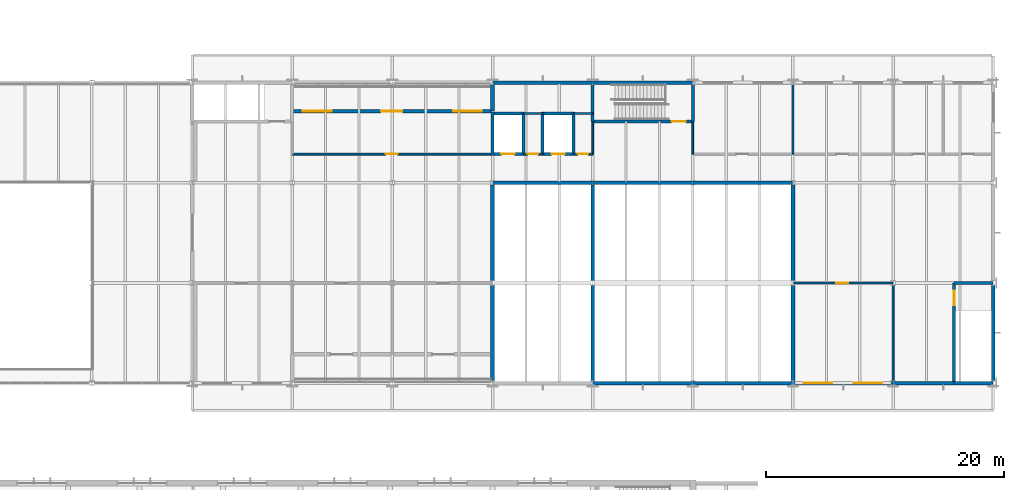
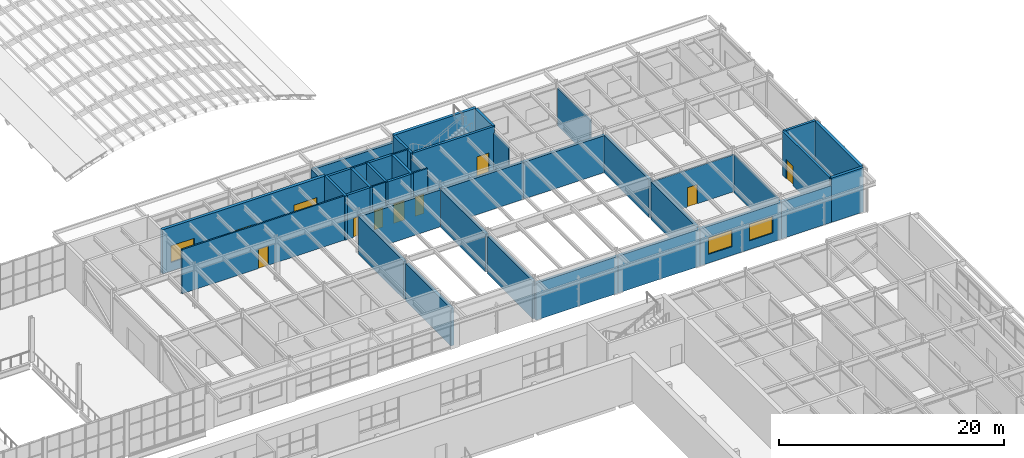
# One storey, part 80 of 116: 42 walls, 9 doors, 4 windows, 13 openings.
"""IFC4 building model written with IfcOpenShell, lengths in metres."""

from ifc_helpers import new_model, si_unit, direction, frame, frame_2d, origin, place, context, subcontext, project, spatial, rectangle, extrude, material, layer, layer_set, type_object, element, fill, save


model = new_model("IFC4")

# Units and contexts
model_context = context("Model", 3, precision=1e-05, world=origin(), true_north=direction((0.0, 1.0)))
body_context = subcontext(model_context, "Body", "Model", "MODEL_VIEW")
ifc_project = project(units=[si_unit("LENGTHUNIT", "METRE"), si_unit("AREAUNIT", "SQUARE_METRE"), si_unit("VOLUMEUNIT", "CUBIC_METRE"), si_unit("PLANEANGLEUNIT", "RADIAN"), si_unit("MASSUNIT", "GRAM", prefix="KILO")], contexts=[model_context])

# Site, building, storey
site_placement = place(None, origin())
site = spatial("IfcSite", under=ifc_project, at=site_placement, CompositionType="ELEMENT")
building_placement = place(site_placement, origin())
building = spatial("IfcBuilding", under=site, at=building_placement, Name="Ljudholm Concert House", CompositionType="ELEMENT")
storey_placement = place(building_placement, frame((0.0, 0.0, 10.199951171875)))
storey = spatial("IfcBuildingStorey", under=building, at=storey_placement, Name="L02", CompositionType="ELEMENT", Elevation=10.199951171875)

# Walls
ifc_material_1 = material(Name="Double gypsum board on staggered studs")
ifc_layer_1 = layer(ifc_material_1, 0.300048828125)
ifc_layer_set_1 = layer_set([ifc_layer_1], Name="Double gypsum board on staggered studs")
wall_type_1 = type_object("IfcWallType", Name="ACOUSTIC PARTITION 300", PredefinedType="PARTITIONING", material=ifc_layer_set_1)
for number, where, z_axis, x_axis, name in (
    (1, (79.60009765625, 113.377685546875, 0.0), (0.0, 0.0, 1.0), (0.0, 1.0, 0.0), "Acoustic partition"),
    (2, (79.60009765625, 104.977783203125, 0.0), (0.0, 0.0, 1.0), (0.0, 1.0, 0.0), "Acoustic partition"),
    (3, (88.0, 104.977783203125, 0.0), (0.0, 0.0, 1.0), (0.0, 1.0, 0.0), "Acoustic partition"),
    (4, (88.0, 113.377685546875, 0.0), (0.0, 0.0, 1.0), (0.0, 1.0, 0.0), "Acoustic partition"),
    (5, (104.800048828125, 113.377685546875, 0.0), (0.0, 0.0, 1.0), (0.0, 1.0, 0.0), "Acoustic partition"),
    (6, (104.800048828125, 104.977783203125, 0.0), (0.0, 0.0, 1.0), (0.0, 1.0, 0.0), "Acoustic partition"),
):
    element("IfcWall", number, at=place(storey_placement, frame(where, z_axis=z_axis, x_axis=x_axis)), inside=storey, type_object=wall_type_1, Name=name, PredefinedType="PARTITIONING", context=body_context, shape_type="SweptSolid", body=[
        extrude(rectangle(XDim=8.04443359375, YDim=0.300048828125, at=frame_2d((4.022216796875, 0.0))), origin(), (0.0, 0.0, 1.0), 4.086669921875),
    ])
wall_1_placement = place(storey_placement, frame((79.60546875, 121.60009765625, 0.0), z_axis=(0.0, 0.0, 1.0), x_axis=(1.0, 0.0, 0.0)))
element("IfcWall", 7, at=wall_1_placement, inside=storey, type_object=wall_type_1, Name="Acoustic partition", PredefinedType="PARTITIONING", context=body_context, shape_type="SweptSolid", body=[
    extrude(rectangle(XDim=8.400146484375, YDim=0.300048828125, at=frame_2d((4.2001953125, 0.0))), origin(), (0.0, 0.0, 1.0), 4.008056640625),
])
wall_2_placement = place(storey_placement, frame((87.994384765625, 121.60009765625, 0.0), z_axis=(0.0, 0.0, 1.0), x_axis=(1.0, 0.0, 0.0)))
element("IfcWall", 8, at=wall_2_placement, inside=storey, type_object=wall_type_1, Name="Acoustic partition", PredefinedType="PARTITIONING", context=body_context, shape_type="SweptSolid", body=[
    extrude(rectangle(XDim=8.4111328125, YDim=0.300048828125, at=frame_2d((4.20556640625, 0.0))), origin(), (0.0, 0.0, 1.0), 4.008056640625),
])
wall_3_placement = place(storey_placement, frame((96.39453125, 121.60009765625, 0.0), z_axis=(0.0, 0.0, 1.0), x_axis=(1.0, 0.0, 0.0)))
element("IfcWall", 9, at=wall_3_placement, inside=storey, type_object=wall_type_1, Name="Acoustic partition", PredefinedType="PARTITIONING", context=body_context, shape_type="SweptSolid", body=[
    extrude(rectangle(XDim=8.39990234375, YDim=0.300048828125, at=frame_2d((4.199951171875, 0.0))), origin(), (0.0, 0.0, 1.0), 4.008056640625),
])
ifc_material_2 = material(Name="Gypsum board on steel studs", Category="steel")
ifc_layer_2 = layer(ifc_material_2, 0.14990234375)
ifc_layer_set_2 = layer_set([ifc_layer_2], Name="Gypsum board on steel studs")
wall_type_2 = type_object("IfcWallType", Name="GYPSUM PARTITION 150", PredefinedType="PARTITIONING", material=ifc_layer_set_2)
for number, where, z_axis, x_axis, name in (
    (10, (88.0, 124.0, 0.0), (0.0, 0.0, 1.0), (0.0, 1.0, 0.0), "Partition"),
    (11, (96.39990234375, 124.0, 0.0), (0.0, 0.0, 1.0), (0.0, 1.0, 0.0), "Partition"),
):
    element("IfcWall", number, at=place(storey_placement, frame(where, z_axis=z_axis, x_axis=x_axis)), inside=storey, type_object=wall_type_2, Name=name, PredefinedType="PARTITIONING", context=body_context, shape_type="SweptSolid", body=[
        extrude(rectangle(XDim=2.72509765625, YDim=0.14990234375, at=frame_2d((1.362548828125, 0.0))), origin(), (0.0, 0.0, 1.0), 4.086669921875),
    ])
wall_4_placement = place(storey_placement, frame((104.800048828125, 124.0, 0.0), z_axis=(0.0, 0.0, 1.0), x_axis=(0.0, 1.0, 0.0)))
element("IfcWall", 12, at=wall_4_placement, inside=storey, type_object=wall_type_2, Name="Partition", PredefinedType="PARTITIONING", context=body_context, shape_type="SweptSolid", body=[
    extrude(rectangle(XDim=5.822265625, YDim=0.14990234375, at=frame_2d((2.9111328125, 0.0))), origin(), (0.0, 0.0, 1.0), 4.086669921875),
])
wall_5_placement = place(storey_placement, frame((113.199951171875, 104.977783203125, 0.0), z_axis=(0.0, 0.0, 1.0), x_axis=(0.0, 1.0, 0.0)))
element("IfcWall", 13, at=wall_5_placement, inside=storey, type_object=wall_type_2, Name="Partition", PredefinedType="PARTITIONING", context=body_context, shape_type="SweptSolid", body=[
    extrude(rectangle(XDim=8.04443359375, YDim=0.14990234375, at=frame_2d((4.022216796875, 0.0))), origin(), (0.0, 0.0, 1.0), 4.086669921875),
])

# Wall, opening, door
wall_6_placement = place(storey_placement, frame((104.8056640625, 113.199951171875, 0.0), z_axis=(0.0, 0.0, 1.0), x_axis=(1.0, 0.0, 0.0)))
wall_6 = element("IfcWall", 14, at=wall_6_placement, inside=storey, type_object=wall_type_2, Name="Partition", PredefinedType="PARTITIONING", context=body_context, shape_type="SweptSolid", body=[
    extrude(rectangle(XDim=8.388671875, YDim=0.14990234375, at=frame_2d((4.1943359375, 0.0))), origin(), (0.0, 0.0, 1.0), 4.008056640625),
])
opening_1_placement = place(wall_6_placement, frame((3.64453125, 0.0, 0.0)))
opening_1 = element("IfcOpeningElement", 15, at=opening_1_placement, cuts=wall_6, Name="Opening D-R02-011", PredefinedType="OPENING", context=body_context, shape_type="SweptSolid", body=[
    extrude(rectangle(XDim=1.0, YDim=2.10009765625, at=frame_2d((0.5, 1.050048828125))), frame((0.0, 0.0849609375, 0.0), z_axis=(0.0, -1.0, 0.0), x_axis=(1.0, 0.0, 0.0)), (0.0, 0.0, 1.0), 0.169921875),
])
ifc_material_3 = material(Name="Hollow metal door in steel frame", Category="steel")
door_type_1 = type_object("IfcDoorType", Name="SWING DOOR 1000x2100", OperationType="SINGLE_SWING_LEFT", PredefinedType="DOOR", material=ifc_material_3)
door_1_placement = place(opening_1_placement, frame((1.0, 0.0, 0.0), z_axis=(0.0, 0.0, 1.0), x_axis=(-1.0, 0.0, 0.0)))
door_1 = element("IfcDoor", 16, at=door_1_placement, inside=storey, type_object=door_type_1, Name="Door", OperationType="SINGLE_SWING_LEFT", OverallHeight=2.10009765625, OverallWidth=1.0, PredefinedType="DOOR", context=body_context, shape_type="SweptSolid", body=[
    extrude(rectangle(XDim=1.0, YDim=2.10009765625, at=frame_2d((0.5, 1.050048828125))), frame((0.0, 0.02490234375, 0.0), z_axis=(0.0, -1.0, 0.0), x_axis=(1.0, 0.0, 0.0)), (0.0, 0.0, 1.0), 0.050048828125),
])
fill(opening_1, door_1)

wall_7_placement = place(storey_placement, frame((62.800048828125, 124.0, 0.0), z_axis=(0.0, 0.0, 1.0), x_axis=(1.0, 0.0, 0.0)))
wall_7 = element("IfcWall", 17, at=wall_7_placement, inside=storey, type_object=wall_type_2, Name="Partition", PredefinedType="PARTITIONING", context=body_context, shape_type="SweptSolid", body=[
    extrude(rectangle(XDim=16.800048828125, YDim=0.14990234375, at=frame_2d((8.39990234375, 0.0))), origin(), (0.0, 0.0, 1.0), 4.800048828125),
])
opening_2_placement = place(wall_7_placement, frame((7.85009765625, 0.0, 0.0)))
opening_2 = element("IfcOpeningElement", 18, at=opening_2_placement, cuts=wall_7, Name="Opening D-R02-012", PredefinedType="OPENING", context=body_context, shape_type="SweptSolid", body=[
    extrude(rectangle(XDim=1.0, YDim=2.10009765625, at=frame_2d((0.5, 1.050048828125))), frame((0.0, 0.0849609375, 0.0), z_axis=(0.0, -1.0, 0.0), x_axis=(1.0, 0.0, 0.0)), (0.0, 0.0, 1.0), 0.169921875),
])
door_2_placement = place(opening_2_placement, origin())
door_2 = element("IfcDoor", 19, at=door_2_placement, inside=storey, type_object=door_type_1, Name="Door", OperationType="SINGLE_SWING_LEFT", OverallHeight=2.10009765625, OverallWidth=1.0, PredefinedType="DOOR", context=body_context, shape_type="SweptSolid", body=[
    extrude(rectangle(XDim=1.0, YDim=2.10009765625, at=frame_2d((0.5, 1.050048828125))), frame((0.0, 0.02490234375, 0.0), z_axis=(0.0, -1.0, 0.0), x_axis=(1.0, 0.0, 0.0)), (0.0, 0.0, 1.0), 0.050048828125),
])
fill(opening_2, door_2)

wall_8_placement = place(storey_placement, frame((82.199951171875, 124.0, 0.0), z_axis=(0.0, 0.0, 1.0), x_axis=(1.0, 0.0, 0.0)))
wall_8 = element("IfcWall", 20, at=wall_8_placement, inside=storey, type_object=wall_type_2, Name="Partition", PredefinedType="PARTITIONING", context=body_context, shape_type="SweptSolid", body=[
    extrude(rectangle(XDim=1.60009765625, YDim=0.14990234375, at=frame_2d((0.800048828125, 0.0))), origin(), (0.0, 0.0, 1.0), 4.800048828125),
])
opening_3_placement = place(wall_8_placement, frame((0.35009765625, 0.0, 0.0)))
opening_3 = element("IfcOpeningElement", 21, at=opening_3_placement, cuts=wall_8, Name="Opening D-R02-006", PredefinedType="OPENING", context=body_context, shape_type="SweptSolid", body=[
    extrude(rectangle(XDim=0.89990234375, YDim=2.10009765625, at=frame_2d((0.449951171875, 1.050048828125))), frame((0.0, 0.0849609375, 0.0), z_axis=(0.0, -1.0, 0.0), x_axis=(1.0, 0.0, 0.0)), (0.0, 0.0, 1.0), 0.169921875),
])
ifc_material_4 = material(Name="Hollow metal door in steel frame", Category="steel")
door_type_2 = type_object("IfcDoorType", Name="SWING DOOR 900x2100", OperationType="SINGLE_SWING_LEFT", PredefinedType="DOOR", material=ifc_material_4)
door_3_placement = place(opening_3_placement, origin())
door_3 = element("IfcDoor", 22, at=door_3_placement, inside=storey, type_object=door_type_2, Name="Door", OperationType="SINGLE_SWING_RIGHT", OverallHeight=2.10009765625, OverallWidth=0.89990234375, PredefinedType="DOOR", context=body_context, shape_type="SweptSolid", body=[
    extrude(rectangle(XDim=0.89990234375, YDim=2.10009765625, at=frame_2d((0.449951171875, 1.050048828125))), frame((0.0, 0.02490234375, 0.0), z_axis=(0.0, -1.0, 0.0), x_axis=(1.0, 0.0, 0.0)), (0.0, 0.0, 1.0), 0.050048828125),
])
fill(opening_3, door_3)

wall_9_placement = place(storey_placement, frame((86.39990234375, 124.0, 0.0), z_axis=(0.0, 0.0, 1.0), x_axis=(1.0, 0.0, 0.0)))
wall_9 = element("IfcWall", 23, at=wall_9_placement, inside=storey, type_object=wall_type_2, Name="Partition", PredefinedType="PARTITIONING", context=body_context, shape_type="SweptSolid", body=[
    extrude(rectangle(XDim=1.60009765625, YDim=0.14990234375, at=frame_2d((0.800048828125, 0.0))), origin(), (0.0, 0.0, 1.0), 4.800048828125),
])
opening_4_placement = place(wall_9_placement, frame((0.35009765625, 0.0, 0.0)))
opening_4 = element("IfcOpeningElement", 24, at=opening_4_placement, cuts=wall_9, Name="Opening D-R02-007", PredefinedType="OPENING", context=body_context, shape_type="SweptSolid", body=[
    extrude(rectangle(XDim=0.89990234375, YDim=2.10009765625, at=frame_2d((0.449951171875, 1.050048828125))), frame((0.0, 0.0849609375, 0.0), z_axis=(0.0, -1.0, 0.0), x_axis=(1.0, 0.0, 0.0)), (0.0, 0.0, 1.0), 0.169921875),
])
door_4_placement = place(opening_4_placement, origin())
door_4 = element("IfcDoor", 25, at=door_4_placement, inside=storey, type_object=door_type_2, Name="Door", OperationType="SINGLE_SWING_LEFT", OverallHeight=2.10009765625, OverallWidth=0.89990234375, PredefinedType="DOOR", context=body_context, shape_type="SweptSolid", body=[
    extrude(rectangle(XDim=0.89990234375, YDim=2.10009765625, at=frame_2d((0.449951171875, 1.050048828125))), frame((0.0, 0.02490234375, 0.0), z_axis=(0.0, -1.0, 0.0), x_axis=(1.0, 0.0, 0.0)), (0.0, 0.0, 1.0), 0.050048828125),
])
fill(opening_4, door_4)

# Walls
for number, where, z_axis, x_axis, name in (
    (26, (82.199951171875, 127.39990234375, 0.0), (0.0, 0.0, 1.0), (1.0, 0.0, 0.0), "Partition"),
    (27, (86.39990234375, 127.39990234375, 0.0), (0.0, 0.0, 1.0), (1.0, 0.0, 0.0), "Partition"),
):
    element("IfcWall", number, at=place(storey_placement, frame(where, z_axis=z_axis, x_axis=x_axis)), inside=storey, type_object=wall_type_2, Name=name, PredefinedType="PARTITIONING", context=body_context, shape_type="SweptSolid", body=[
        extrude(rectangle(XDim=1.60009765625, YDim=0.14990234375, at=frame_2d((0.800048828125, 0.0))), origin(), (0.0, 0.0, 1.0), 4.800048828125),
    ])
ifc_material_5 = material(Name="Precast concrete 5,000 psi", Category="concrete")
ifc_layer_3 = layer(ifc_material_5, 0.300048828125)
ifc_layer_set_3 = layer_set([ifc_layer_3], Name="Precast concrete 5,000 psi")
wall_type_3 = type_object("IfcWallType", Name="PRECAST PANEL WALL 300", PredefinedType="SOLIDWALL", material=ifc_layer_set_3)
for number, where, z_axis, x_axis, name in (
    (28, (87.994384765625, 104.800048828125, 0.0), (0.0, 0.0, 1.0), (1.0, 0.0, 0.0), "Facade wall"),
    (29, (96.39453125, 104.800048828125, 0.0), (0.0, 0.0, 1.0), (1.0, 0.0, 0.0), "Facade wall"),
):
    element("IfcWall", number, at=place(storey_placement, frame(where, z_axis=z_axis, x_axis=x_axis)), inside=storey, type_object=wall_type_3, Name=name, PredefinedType="SOLIDWALL", context=body_context, shape_type="SweptSolid", body=[
        extrude(rectangle(XDim=8.4111328125, YDim=0.300048828125, at=frame_2d((4.20556640625, 0.0))), origin(), (0.0, 0.0, 1.0), 4.008056640625),
    ])

# Wall, openings, windows
wall_10_placement = place(storey_placement, frame((104.79443359375, 104.800048828125, 0.0), z_axis=(0.0, 0.0, 1.0), x_axis=(1.0, 0.0, 0.0)))
wall_10 = element("IfcWall", 30, at=wall_10_placement, inside=storey, type_object=wall_type_3, Name="Facade wall", PredefinedType="SOLIDWALL", context=body_context, shape_type="SweptSolid", body=[
    extrude(rectangle(XDim=8.4111328125, YDim=0.300048828125, at=frame_2d((4.20556640625, 0.0))), origin(), (0.0, 0.0, 1.0), 4.008056640625),
])
opening_5_placement = place(wall_10_placement, frame((0.905517578125, 0.0, 0.949951171875)))
opening_5 = element("IfcOpeningElement", 31, at=opening_5_placement, cuts=wall_10, Name="Opening X-R02-003", PredefinedType="OPENING", context=body_context, shape_type="SweptSolid", body=[
    extrude(rectangle(XDim=2.39990234375, YDim=1.800048828125, at=frame_2d((1.199951171875, 0.89990234375))), frame((0.0, 0.159912109375, 0.0), z_axis=(0.0, -1.0, 0.0), x_axis=(1.0, 0.0, 0.0)), (0.0, 0.0, 1.0), 0.320068359375),
])
opening_6_placement = place(wall_10_placement, frame((5.10546875, 0.0, 0.949951171875)))
opening_6 = element("IfcOpeningElement", 32, at=opening_6_placement, cuts=wall_10, Name="Opening X-R02-004", PredefinedType="OPENING", context=body_context, shape_type="SweptSolid", body=[
    extrude(rectangle(XDim=2.39990234375, YDim=1.800048828125, at=frame_2d((1.199951171875, 0.89990234375))), frame((0.0, 0.159912109375, 0.0), z_axis=(0.0, -1.0, 0.0), x_axis=(1.0, 0.0, 0.0)), (0.0, 0.0, 1.0), 0.320068359375),
])
ifc_material_6 = material(Name="Aluminium frame, impact glazing", Category="aluminium")
window_type = type_object("IfcWindowType", Name="CASEMENT WINDOW 2400x1800", PartitioningType="DOUBLE_PANEL_VERTICAL", PredefinedType="WINDOW", material=ifc_material_6)
window_1_placement = place(opening_5_placement, origin())
window_1 = element("IfcWindow", 33, at=window_1_placement, inside=storey, type_object=window_type, Name="Window", OverallHeight=1.800048828125, OverallWidth=2.39990234375, PartitioningType="DOUBLE_PANEL_VERTICAL", PredefinedType="WINDOW", context=body_context, shape_type="SweptSolid", body=[
    extrude(rectangle(XDim=2.39990234375, YDim=1.800048828125, at=frame_2d((1.199951171875, 0.89990234375))), frame((0.0, 0.030029296875, 0.0), z_axis=(0.0, -1.0, 0.0), x_axis=(1.0, 0.0, 0.0)), (0.0, 0.0, 1.0), 0.06005859375),
])
fill(opening_5, window_1)
window_2_placement = place(opening_6_placement, origin())
window_2 = element("IfcWindow", 34, at=window_2_placement, inside=storey, type_object=window_type, Name="Window", OverallHeight=1.800048828125, OverallWidth=2.39990234375, PartitioningType="DOUBLE_PANEL_VERTICAL", PredefinedType="WINDOW", context=body_context, shape_type="SweptSolid", body=[
    extrude(rectangle(XDim=2.39990234375, YDim=1.800048828125, at=frame_2d((1.199951171875, 0.89990234375))), frame((0.0, 0.030029296875, 0.0), z_axis=(0.0, -1.0, 0.0), x_axis=(1.0, 0.0, 0.0)), (0.0, 0.0, 1.0), 0.06005859375),
])
fill(opening_6, window_2)

# Walls
wall_11_placement = place(storey_placement, frame((113.1943359375, 104.800048828125, 0.0), z_axis=(0.0, 0.0, 1.0), x_axis=(1.0, 0.0, 0.0)))
element("IfcWall", 35, at=wall_11_placement, inside=storey, type_object=wall_type_3, Name="Facade wall", PredefinedType="SOLIDWALL", context=body_context, shape_type="SweptSolid", body=[
    extrude(rectangle(XDim=5.130615234375, YDim=0.300048828125, at=frame_2d((2.5654296875, 0.0))), origin(), (0.0, 0.0, 1.0), 4.008056640625),
])
wall_12_placement = place(storey_placement, frame((79.60546875, 130.0, 0.0), z_axis=(0.0, 0.0, 1.0), x_axis=(1.0, 0.0, 0.0)))
element("IfcWall", 36, at=wall_12_placement, inside=storey, type_object=wall_type_3, Name="Facade wall", PredefinedType="SOLIDWALL", context=body_context, shape_type="SweptSolid", body=[
    extrude(rectangle(XDim=8.400146484375, YDim=0.300048828125, at=frame_2d((4.2001953125, 0.0))), origin(), (0.0, 0.0, 1.0), 4.008056640625),
])
wall_13_placement = place(storey_placement, frame((79.60009765625, 127.60009765625, 0.0), z_axis=(0.0, 0.0, 1.0), x_axis=(0.0, 1.0, 0.0)))
element("IfcWall", 37, at=wall_13_placement, inside=storey, type_object=wall_type_3, Name="Loggia wall", PredefinedType="SOLIDWALL", context=body_context, shape_type="SweptSolid", body=[
    extrude(rectangle(XDim=2.22216796875, YDim=0.300048828125, at=frame_2d((1.111083984375, 0.0))), origin(), (0.0, 0.0, 1.0), 4.086669921875),
])

# Wall, openings, windows, door
wall_14_placement = place(storey_placement, frame((62.800048828125, 127.60009765625, 0.0), z_axis=(0.0, 0.0, 1.0), x_axis=(1.0, 0.0, 0.0)))
wall_14 = element("IfcWall", 38, at=wall_14_placement, inside=storey, type_object=wall_type_3, Name="Loggia wall", PredefinedType="SOLIDWALL", context=body_context, shape_type="SweptSolid", body=[
    extrude(rectangle(XDim=16.800048828125, YDim=0.300048828125, at=frame_2d((8.39990234375, 0.0))), origin(), (0.0, 0.0, 1.0), 4.800048828125),
])
opening_7_placement = place(wall_14_placement, frame((7.449951171875, 0.0, 0.0)))
opening_7 = element("IfcOpeningElement", 39, at=opening_7_placement, cuts=wall_14, Name="Opening D-R02-019", PredefinedType="OPENING", context=body_context, shape_type="SweptSolid", body=[
    extrude(rectangle(XDim=1.800048828125, YDim=2.10009765625, at=frame_2d((0.89990234375, 1.050048828125))), frame((0.0, 0.159912109375, 0.0), z_axis=(0.0, -1.0, 0.0), x_axis=(1.0, 0.0, 0.0)), (0.0, 0.0, 1.0), 0.320068359375),
])
opening_8_placement = place(wall_14_placement, frame((0.89990234375, 0.0, 0.949951171875)))
opening_8 = element("IfcOpeningElement", 40, at=opening_8_placement, cuts=wall_14, Name="Opening X-R02-013", PredefinedType="OPENING", context=body_context, shape_type="SweptSolid", body=[
    extrude(rectangle(XDim=2.39990234375, YDim=1.800048828125, at=frame_2d((1.199951171875, 0.89990234375))), frame((0.0, 0.159912109375, 0.0), z_axis=(0.0, -1.0, 0.0), x_axis=(1.0, 0.0, 0.0)), (0.0, 0.0, 1.0), 0.320068359375),
])
opening_9_placement = place(wall_14_placement, frame((13.5, 0.0, 0.949951171875)))
opening_9 = element("IfcOpeningElement", 41, at=opening_9_placement, cuts=wall_14, Name="Opening X-R02-014", PredefinedType="OPENING", context=body_context, shape_type="SweptSolid", body=[
    extrude(rectangle(XDim=2.39990234375, YDim=1.800048828125, at=frame_2d((1.199951171875, 0.89990234375))), frame((0.0, 0.159912109375, 0.0), z_axis=(0.0, -1.0, 0.0), x_axis=(1.0, 0.0, 0.0)), (0.0, 0.0, 1.0), 0.320068359375),
])
window_3_placement = place(opening_8_placement, origin())
window_3 = element("IfcWindow", 42, at=window_3_placement, inside=storey, type_object=window_type, Name="Window", OverallHeight=1.800048828125, OverallWidth=2.39990234375, PartitioningType="DOUBLE_PANEL_VERTICAL", PredefinedType="WINDOW", context=body_context, shape_type="SweptSolid", body=[
    extrude(rectangle(XDim=2.39990234375, YDim=1.800048828125, at=frame_2d((1.199951171875, 0.89990234375))), frame((0.0, 0.030029296875, 0.0), z_axis=(0.0, -1.0, 0.0), x_axis=(1.0, 0.0, 0.0)), (0.0, 0.0, 1.0), 0.06005859375),
])
fill(opening_8, window_3)
window_4_placement = place(opening_9_placement, origin())
window_4 = element("IfcWindow", 43, at=window_4_placement, inside=storey, type_object=window_type, Name="Window", OverallHeight=1.800048828125, OverallWidth=2.39990234375, PartitioningType="DOUBLE_PANEL_VERTICAL", PredefinedType="WINDOW", context=body_context, shape_type="SweptSolid", body=[
    extrude(rectangle(XDim=2.39990234375, YDim=1.800048828125, at=frame_2d((1.199951171875, 0.89990234375))), frame((0.0, 0.030029296875, 0.0), z_axis=(0.0, -1.0, 0.0), x_axis=(1.0, 0.0, 0.0)), (0.0, 0.0, 1.0), 0.06005859375),
])
fill(opening_9, window_4)
ifc_material_7 = material(Name="Hollow metal door in steel frame", Category="steel")
door_type_3 = type_object("IfcDoorType", Name="DOUBLE DOOR 1800x2100 EXTERNAL", OperationType="DOUBLE_DOOR_SINGLE_SWING", PredefinedType="DOOR", material=ifc_material_7)
door_5_placement = place(opening_7_placement, origin())
door_5 = element("IfcDoor", 44, at=door_5_placement, inside=storey, type_object=door_type_3, Name="Loggia door", OperationType="DOUBLE_DOOR_SINGLE_SWING", OverallHeight=2.10009765625, OverallWidth=1.800048828125, PredefinedType="DOOR", context=body_context, shape_type="SweptSolid", body=[
    extrude(rectangle(XDim=1.800048828125, YDim=2.10009765625, at=frame_2d((0.89990234375, 1.050048828125))), frame((0.0, 0.02490234375, 0.0), z_axis=(0.0, -1.0, 0.0), x_axis=(1.0, 0.0, 0.0)), (0.0, 0.0, 1.0), 0.050048828125),
])
fill(opening_7, door_5)

# Walls
ifc_material_8 = material(Name="Concrete 6,500 psi", Category="concrete")
ifc_layer_4 = layer(ifc_material_8, 0.25)
ifc_layer_set_4 = layer_set([ifc_layer_4], Name="Concrete 6,500 psi")
wall_type_4 = type_object("IfcWallType", Name="RC CORE WALL 250", PredefinedType="SHEAR", material=ifc_layer_set_4)
for number, where, z_axis, x_axis, name in (
    (45, (88.0, 126.72509765625, 0.0), (0.0, 0.0, 1.0), (0.0, 1.0, 0.0), "Stair core wall"),
    (46, (96.39990234375, 126.72509765625, 0.0), (0.0, 0.0, 1.0), (0.0, 1.0, 0.0), "Stair core wall"),
):
    element("IfcWall", number, at=place(storey_placement, frame(where, z_axis=z_axis, x_axis=x_axis)), inside=storey, type_object=wall_type_4, Name=name, PredefinedType="SHEAR", context=body_context, shape_type="SweptSolid", body=[
        extrude(rectangle(XDim=3.09716796875, YDim=0.25, at=frame_2d((1.548583984375, 0.0))), origin(), (0.0, 0.0, 1.0), 4.800048828125),
    ])

# Wall, opening, door
wall_15_placement = place(storey_placement, frame((118.324951171875, 104.800048828125, 0.0), z_axis=(0.0, 0.0, 1.0), x_axis=(0.0, 1.0, 0.0)))
wall_15 = element("IfcWall", 47, at=wall_15_placement, inside=storey, type_object=wall_type_4, Name="Stair core wall", PredefinedType="SHEAR", context=body_context, shape_type="SweptSolid", body=[
    extrude(rectangle(XDim=8.39990234375, YDim=0.25, at=frame_2d((4.199951171875, 0.0))), origin(), (0.0, 0.0, 1.0), 4.800048828125),
])
opening_10_placement = place(wall_15_placement, frame((6.52490234375, 0.0, 0.0)))
opening_10 = element("IfcOpeningElement", 48, at=opening_10_placement, cuts=wall_15, Name="Opening D-R02-005", PredefinedType="OPENING", context=body_context, shape_type="SweptSolid", body=[
    extrude(rectangle(XDim=1.199951171875, YDim=2.10009765625, at=frame_2d((0.60009765625, 1.050048828125))), frame((0.0, 0.135009765625, 0.0), z_axis=(0.0, -1.0, 0.0), x_axis=(1.0, 0.0, 0.0)), (0.0, 0.0, 1.0), 0.27001953125),
])
ifc_material_9 = material(Name="Hollow metal door in steel frame", Category="steel")
door_type_4 = type_object("IfcDoorType", Name="SWING DOOR 1200x2100", OperationType="SINGLE_SWING_LEFT", PredefinedType="DOOR", material=ifc_material_9)
door_6_placement = place(opening_10_placement, frame((1.199951171875, 0.0, 0.0), z_axis=(0.0, 0.0, 1.0), x_axis=(-1.0, 0.0, 0.0)))
door_6 = element("IfcDoor", 49, at=door_6_placement, inside=storey, type_object=door_type_4, Name="Door", OperationType="SINGLE_SWING_LEFT", OverallHeight=2.10009765625, OverallWidth=1.199951171875, PredefinedType="DOOR", context=body_context, shape_type="SweptSolid", body=[
    extrude(rectangle(XDim=1.199951171875, YDim=2.10009765625, at=frame_2d((0.60009765625, 1.050048828125))), frame((0.0, 0.02490234375, 0.0), z_axis=(0.0, -1.0, 0.0), x_axis=(1.0, 0.0, 0.0)), (0.0, 0.0, 1.0), 0.050048828125),
])
fill(opening_10, door_6)

# Wall
wall_16_placement = place(storey_placement, frame((118.324951171875, 113.199951171875, 0.0), z_axis=(0.0, 0.0, 1.0), x_axis=(1.0, 0.0, 0.0)))
element("IfcWall", 50, at=wall_16_placement, inside=storey, type_object=wall_type_4, Name="Stair core wall", PredefinedType="SHEAR", context=body_context, shape_type="SweptSolid", body=[
    extrude(rectangle(XDim=3.26953125, YDim=0.25, at=frame_2d((1.634765625, 0.0))), origin(), (0.0, 0.0, 1.0), 4.800048828125),
])

# Wall, opening, door
wall_17_placement = place(storey_placement, frame((88.0, 126.72509765625, 0.0), z_axis=(0.0, 0.0, 1.0), x_axis=(1.0, 0.0, 0.0)))
wall_17 = element("IfcWall", 51, at=wall_17_placement, inside=storey, type_object=wall_type_4, Name="Stair core wall", PredefinedType="SHEAR", context=body_context, shape_type="SweptSolid", body=[
    extrude(rectangle(XDim=8.39990234375, YDim=0.25, at=frame_2d((4.199951171875, 0.0))), origin(), (0.0, 0.0, 1.0), 4.800048828125),
])
opening_11_placement = place(wall_17_placement, frame((6.625, 0.0, 0.0)))
opening_11 = element("IfcOpeningElement", 52, at=opening_11_placement, cuts=wall_17, Name="Opening D-R02-004", PredefinedType="OPENING", context=body_context, shape_type="SweptSolid", body=[
    extrude(rectangle(XDim=1.199951171875, YDim=2.10009765625, at=frame_2d((0.60009765625, 1.050048828125))), frame((0.0, 0.135009765625, 0.0), z_axis=(0.0, -1.0, 0.0), x_axis=(1.0, 0.0, 0.0)), (0.0, 0.0, 1.0), 0.27001953125),
])
door_7_placement = place(opening_11_placement, frame((1.199951171875, 0.0, 0.0), z_axis=(0.0, 0.0, 1.0), x_axis=(-1.0, 0.0, 0.0)))
door_7 = element("IfcDoor", 53, at=door_7_placement, inside=storey, type_object=door_type_4, Name="Door", OperationType="SINGLE_SWING_LEFT", OverallHeight=2.10009765625, OverallWidth=1.199951171875, PredefinedType="DOOR", context=body_context, shape_type="SweptSolid", body=[
    extrude(rectangle(XDim=1.199951171875, YDim=2.10009765625, at=frame_2d((0.60009765625, 1.050048828125))), frame((0.0, 0.02490234375, 0.0), z_axis=(0.0, -1.0, 0.0), x_axis=(1.0, 0.0, 0.0)), (0.0, 0.0, 1.0), 0.050048828125),
])
fill(opening_11, door_7)

# Walls
ifc_material_10 = material(Name="Concrete 6,500 psi", Category="concrete")
ifc_layer_5 = layer(ifc_material_10, 0.300048828125)
ifc_layer_set_5 = layer_set([ifc_layer_5], Name="Concrete 6,500 psi")
wall_type_5 = type_object("IfcWallType", Name="RC CORE WALL 300", PredefinedType="SHEAR", material=ifc_layer_set_5)
wall_18_placement = place(storey_placement, frame((121.60009765625, 104.977783203125, 0.0), z_axis=(0.0, 0.0, 1.0), x_axis=(0.0, 1.0, 0.0)))
element("IfcWall", 54, at=wall_18_placement, inside=storey, type_object=wall_type_5, Name="Stair core wall", PredefinedType="SHEAR", context=body_context, shape_type="SweptSolid", body=[
    extrude(rectangle(XDim=8.04443359375, YDim=0.300048828125, at=frame_2d((4.022216796875, 0.0))), origin(), (0.0, 0.0, 1.0), 4.800048828125),
])
wall_19_placement = place(storey_placement, frame((118.324951171875, 104.800048828125, 0.0), z_axis=(0.0, 0.0, 1.0), x_axis=(1.0, 0.0, 0.0)))
element("IfcWall", 55, at=wall_19_placement, inside=storey, type_object=wall_type_5, Name="Stair core wall", PredefinedType="SHEAR", context=body_context, shape_type="SweptSolid", body=[
    extrude(rectangle(XDim=3.26953125, YDim=0.300048828125, at=frame_2d((1.634765625, 0.0))), origin(), (0.0, 0.0, 1.0), 4.800048828125),
])
wall_20_placement = place(storey_placement, frame((87.994384765625, 130.0, 0.0), z_axis=(0.0, 0.0, 1.0), x_axis=(1.0, 0.0, 0.0)))
element("IfcWall", 56, at=wall_20_placement, inside=storey, type_object=wall_type_5, Name="Stair core wall", PredefinedType="SHEAR", context=body_context, shape_type="SweptSolid", body=[
    extrude(rectangle(XDim=8.4111328125, YDim=0.300048828125, at=frame_2d((4.20556640625, 0.0))), origin(), (0.0, 0.0, 1.0), 4.800048828125),
])
ifc_material_11 = material(Name="Concrete 6,500 psi", Category="concrete")
ifc_layer_6 = layer(ifc_material_11, 0.25)
ifc_layer_set_6 = layer_set([ifc_layer_6], Name="Concrete 6,500 psi")
wall_type_6 = type_object("IfcWallType", Name="RC WALL 250", PredefinedType="SOLIDWALL", material=ifc_layer_set_6)
for number, where, z_axis, x_axis, name in (
    (57, (79.60009765625, 123.875, 0.0), (0.0, 0.0, 1.0), (0.0, 1.0, 0.0), "Lift shaft wall"),
    (58, (82.199951171875, 123.875, 0.0), (0.0, 0.0, 1.0), (0.0, 1.0, 0.0), "Lift shaft wall"),
):
    element("IfcWall", number, at=place(storey_placement, frame(where, z_axis=z_axis, x_axis=x_axis)), inside=storey, type_object=wall_type_6, Name=name, PredefinedType="SOLIDWALL", context=body_context, shape_type="SweptSolid", body=[
        extrude(rectangle(XDim=3.64990234375, YDim=0.25, at=frame_2d((1.824951171875, 0.0))), origin(), (0.0, 0.0, 1.0), 4.800048828125),
    ])

# Wall, opening, door
wall_21_placement = place(storey_placement, frame((79.72509765625, 124.0, 0.0), z_axis=(0.0, 0.0, 1.0), x_axis=(1.0, 0.0, 0.0)))
wall_21 = element("IfcWall", 59, at=wall_21_placement, inside=storey, type_object=wall_type_6, Name="Lift shaft wall", PredefinedType="SOLIDWALL", context=body_context, shape_type="SweptSolid", body=[
    extrude(rectangle(XDim=2.349853515625, YDim=0.25, at=frame_2d((1.1748046875, 0.0))), origin(), (0.0, 0.0, 1.0), 4.800048828125),
])
opening_12_placement = place(wall_21_placement, frame((0.625, 0.0, 0.0)))
opening_12 = element("IfcOpeningElement", 60, at=opening_12_placement, cuts=wall_21, Name="Opening LD-R02-001", PredefinedType="OPENING", context=body_context, shape_type="SweptSolid", body=[
    extrude(rectangle(XDim=1.10009765625, YDim=2.10009765625, at=frame_2d((0.550048828125, 1.050048828125))), frame((0.0, 0.135009765625, 0.0), z_axis=(0.0, -1.0, 0.0), x_axis=(1.0, 0.0, 0.0)), (0.0, 0.0, 1.0), 0.27001953125),
])
ifc_material_12 = material(Name="Stainless steel sliding landing door, fire-rated", Category="steel")
door_type_5 = type_object("IfcDoorType", Name="LIFT DOOR 1100x2100", OperationType="SLIDING_TO_LEFT", PredefinedType="DOOR", material=ifc_material_12)
door_8_placement = place(opening_12_placement, origin())
door_8 = element("IfcDoor", 61, at=door_8_placement, inside=storey, type_object=door_type_5, Name="Lift landing door", OperationType="SLIDING_TO_LEFT", OverallHeight=2.10009765625, OverallWidth=1.10009765625, PredefinedType="DOOR", context=body_context, shape_type="SweptSolid", body=[
    extrude(rectangle(XDim=1.10009765625, YDim=2.10009765625, at=frame_2d((0.550048828125, 1.050048828125))), frame((0.0, 0.02490234375, 0.0), z_axis=(0.0, -1.0, 0.0), x_axis=(1.0, 0.0, 0.0)), (0.0, 0.0, 1.0), 0.050048828125),
])
fill(opening_12, door_8)

# Walls
wall_22_placement = place(storey_placement, frame((79.72509765625, 127.39990234375, 0.0), z_axis=(0.0, 0.0, 1.0), x_axis=(1.0, 0.0, 0.0)))
element("IfcWall", 62, at=wall_22_placement, inside=storey, type_object=wall_type_6, Name="Lift shaft wall", PredefinedType="SOLIDWALL", context=body_context, shape_type="SweptSolid", body=[
    extrude(rectangle(XDim=2.349853515625, YDim=0.25, at=frame_2d((1.1748046875, 0.0))), origin(), (0.0, 0.0, 1.0), 4.800048828125),
])
for number, where, z_axis, x_axis, name in (
    (63, (83.800048828125, 123.875, 0.0), (0.0, 0.0, 1.0), (0.0, 1.0, 0.0), "Lift shaft wall"),
    (64, (86.39990234375, 123.875, 0.0), (0.0, 0.0, 1.0), (0.0, 1.0, 0.0), "Lift shaft wall"),
):
    element("IfcWall", number, at=place(storey_placement, frame(where, z_axis=z_axis, x_axis=x_axis)), inside=storey, type_object=wall_type_6, Name=name, PredefinedType="SOLIDWALL", context=body_context, shape_type="SweptSolid", body=[
        extrude(rectangle(XDim=3.64990234375, YDim=0.25, at=frame_2d((1.824951171875, 0.0))), origin(), (0.0, 0.0, 1.0), 4.800048828125),
    ])

# Wall, opening, door
wall_23_placement = place(storey_placement, frame((83.925048828125, 124.0, 0.0), z_axis=(0.0, 0.0, 1.0), x_axis=(1.0, 0.0, 0.0)))
wall_23 = element("IfcWall", 65, at=wall_23_placement, inside=storey, type_object=wall_type_6, Name="Lift shaft wall", PredefinedType="SOLIDWALL", context=body_context, shape_type="SweptSolid", body=[
    extrude(rectangle(XDim=2.349853515625, YDim=0.25, at=frame_2d((1.1748046875, 0.0))), origin(), (0.0, 0.0, 1.0), 4.800048828125),
])
opening_13_placement = place(wall_23_placement, frame((0.625, 0.0, 0.0)))
opening_13 = element("IfcOpeningElement", 66, at=opening_13_placement, cuts=wall_23, Name="Opening LD-R02-002", PredefinedType="OPENING", context=body_context, shape_type="SweptSolid", body=[
    extrude(rectangle(XDim=1.10009765625, YDim=2.10009765625, at=frame_2d((0.550048828125, 1.050048828125))), frame((0.0, 0.135009765625, 0.0), z_axis=(0.0, -1.0, 0.0), x_axis=(1.0, 0.0, 0.0)), (0.0, 0.0, 1.0), 0.27001953125),
])
door_9_placement = place(opening_13_placement, origin())
door_9 = element("IfcDoor", 67, at=door_9_placement, inside=storey, type_object=door_type_5, Name="Lift landing door", OperationType="SLIDING_TO_LEFT", OverallHeight=2.10009765625, OverallWidth=1.10009765625, PredefinedType="DOOR", context=body_context, shape_type="SweptSolid", body=[
    extrude(rectangle(XDim=1.10009765625, YDim=2.10009765625, at=frame_2d((0.550048828125, 1.050048828125))), frame((0.0, 0.02490234375, 0.0), z_axis=(0.0, -1.0, 0.0), x_axis=(1.0, 0.0, 0.0)), (0.0, 0.0, 1.0), 0.050048828125),
])
fill(opening_13, door_9)

# Wall
wall_24_placement = place(storey_placement, frame((83.925048828125, 127.39990234375, 0.0), z_axis=(0.0, 0.0, 1.0), x_axis=(1.0, 0.0, 0.0)))
element("IfcWall", 68, at=wall_24_placement, inside=storey, type_object=wall_type_6, Name="Lift shaft wall", PredefinedType="SOLIDWALL", context=body_context, shape_type="SweptSolid", body=[
    extrude(rectangle(XDim=2.349853515625, YDim=0.25, at=frame_2d((1.1748046875, 0.0))), origin(), (0.0, 0.0, 1.0), 4.800048828125),
])

save(model, "model.ifc")
